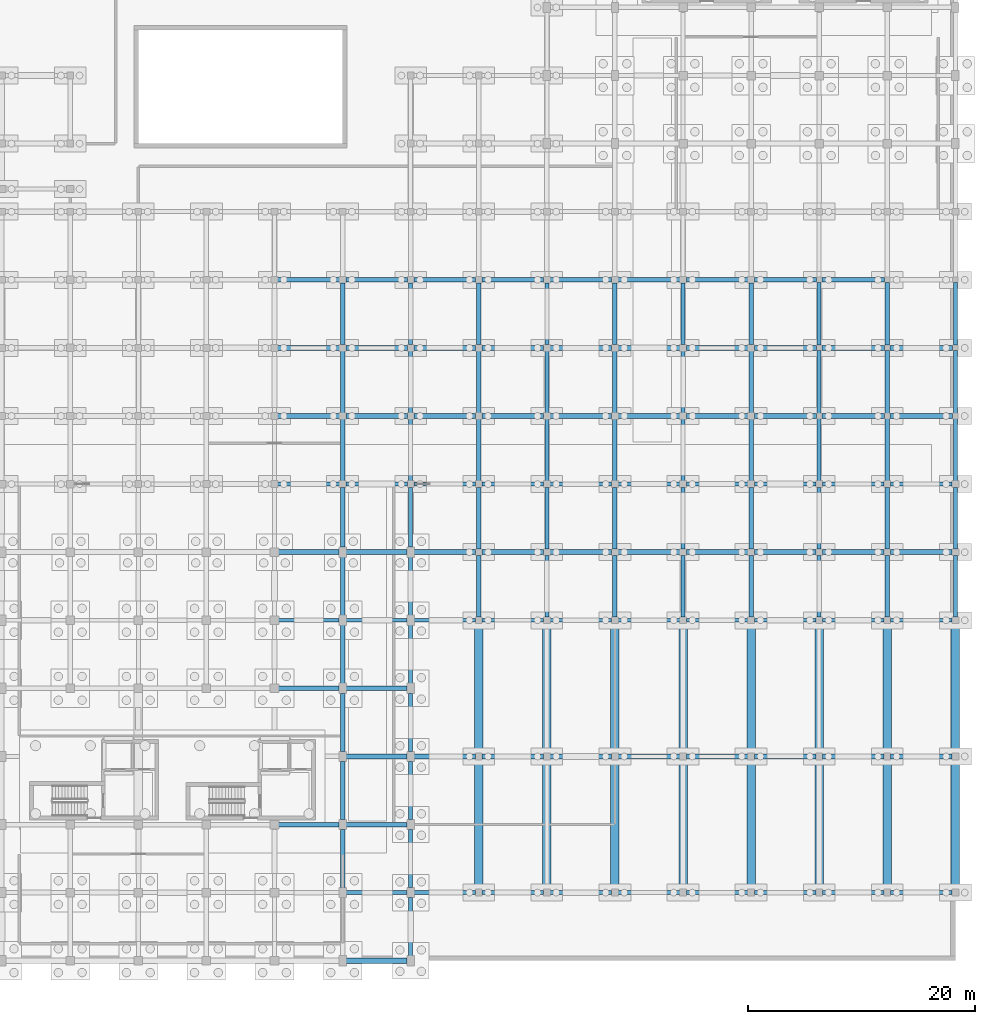
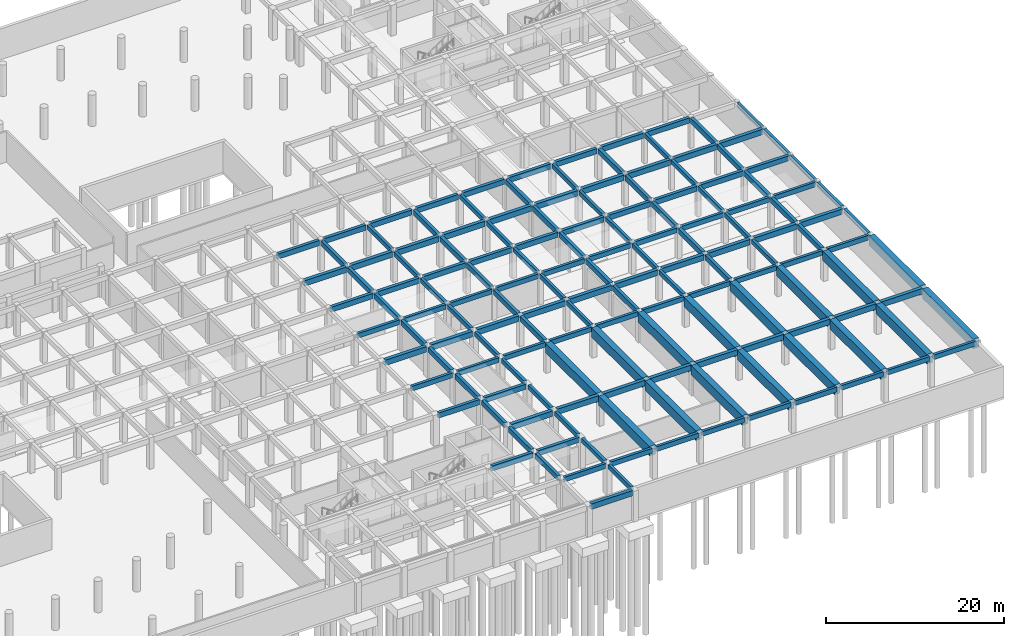
# One storey, part 20 of 41: 157 beams.
"""IFC4 building model written with IfcOpenShell, lengths in metres."""

from ifc_helpers import new_model, si_unit, direction, frame, origin, origin_2d, place, context, subcontext, project, spatial, rectangle, extrude, material, material_profile, profile_set, type_object, element, save


model = new_model("IFC4")

# Units and contexts
model_context = context("Model", 3, precision=1e-05, world=origin(), true_north=direction((0.0, 1.0)))
body_context = subcontext(model_context, "Body", "Model", "MODEL_VIEW")
ifc_project = project(units=[si_unit("LENGTHUNIT", "METRE"), si_unit("AREAUNIT", "SQUARE_METRE"), si_unit("VOLUMEUNIT", "CUBIC_METRE"), si_unit("PLANEANGLEUNIT", "RADIAN"), si_unit("MASSUNIT", "GRAM", prefix="KILO"), si_unit("POWERUNIT", "WATT"), si_unit("THERMODYNAMICTEMPERATUREUNIT", "KELVIN")], contexts=[model_context])

# Site, building, storey
site_placement = place(None, origin())
site = spatial("IfcSite", under=ifc_project, at=site_placement, CompositionType="ELEMENT")
building_placement = place(site_placement, origin())
building = spatial("IfcBuilding", under=site, at=building_placement, Name="Ruvembo Vaulted Housing Court", CompositionType="ELEMENT")
storey_placement = place(building_placement, frame((0.0, 0.0, -4.5)))
storey = spatial("IfcBuildingStorey", under=building, at=storey_placement, Name="B1", CompositionType="ELEMENT", Elevation=-4.5)

# Beams
ifc_material_1 = material(Name="Concrete C35/45", Category="concrete")
ifc_material_profile_1 = material_profile(ifc_material_1, rectangle(XDim=0.35009765625, YDim=0.60009765625, at=origin_2d()), Name="RC 350x600")
ifc_profile_set_1 = profile_set([ifc_material_profile_1], Name="Concrete C35/45")
beam_type_1 = type_object("IfcBeamType", Name="BM-RC-350x600", PredefinedType="BEAM", material=ifc_profile_set_1)
for number, where, z_axis, x_axis, name in (
    (1, (138.0, 0.43505859375, 3.9150390625), (0.0, 1.0, 0.0), (-1.0, 0.0, 0.0), "B1 Grid Beam Y #613"),
    (2, (138.0, 6.43505859375, 3.9150390625), (0.0, 1.0, 0.0), (-1.0, 0.0, 0.0), "B1 Grid Beam Y #614"),
    (3, (138.0, 12.43505859375, 3.9150390625), (0.0, 1.0, 0.0), (-1.0, 0.0, 0.0), "B1 Grid Beam Y #615"),
    (4, (138.0, 18.43505859375, 3.9150390625), (0.0, 1.0, 0.0), (-1.0, 0.0, 0.0), "B1 Grid Beam Y #616"),
    (5, (138.0, 24.43505859375, 3.9150390625), (0.0, 1.0, 0.0), (-1.0, 0.0, 0.0), "B1 Grid Beam Y #617"),
    (6, (138.0, 30.43505859375, 3.9150390625), (0.0, 1.0, 0.0), (-1.0, 0.0, 0.0), "B1 Grid Beam Y #618"),
):
    element("IfcBeam", number, at=place(storey_placement, frame(where, z_axis=z_axis, x_axis=x_axis)), inside=storey, type_object=beam_type_1, Name=name, PredefinedType="BEAM", context=body_context, shape_type="SweptSolid", body=[
        extrude(rectangle(XDim=0.35009765625, YDim=0.60009765625, at=origin_2d()), origin(), (0.0, 0.0, 1.0), 5.1298828125),
    ])
beam_1_placement = place(storey_placement, frame((138.0, 36.43505859375, 3.9150390625), z_axis=(0.0, 1.0, 0.0), x_axis=(-1.0, 0.0, 0.0)))
element("IfcBeam", 7, at=beam_1_placement, inside=storey, type_object=beam_type_1, Name="B1 Grid Beam Y #619", PredefinedType="BEAM", context=body_context, shape_type="SweptSolid", body=[
    extrude(rectangle(XDim=0.35009765625, YDim=0.60009765625, at=origin_2d()), origin(), (0.0, 0.0, 1.0), 5.280029296875),
])
for number, where, z_axis, x_axis, name in (
    (8, (138.0, 42.284912109375, 3.9150390625), (0.0, 1.0, 0.0), (-1.0, 0.0, 0.0), "B1 Grid Beam Y #620"),
    (9, (138.0, 48.284912109375, 3.9150390625), (0.0, 1.0, 0.0), (-1.0, 0.0, 0.0), "B1 Grid Beam Y #621"),
    (10, (138.0, 54.284912109375, 3.9150390625), (0.0, 1.0, 0.0), (-1.0, 0.0, 0.0), "B1 Grid Beam Y #622"),
    (11, (150.0, 30.284912109375, 3.9150390625), (0.0, 1.0, 0.0), (-1.0, 0.0, 0.0), "B1 Grid Beam Y #638"),
    (12, (150.0, 36.284912109375, 3.9150390625), (0.0, 1.0, 0.0), (-1.0, 0.0, 0.0), "B1 Grid Beam Y #639"),
    (13, (150.0, 42.284912109375, 3.9150390625), (0.0, 1.0, 0.0), (-1.0, 0.0, 0.0), "B1 Grid Beam Y #640"),
    (14, (150.0, 48.284912109375, 3.9150390625), (0.0, 1.0, 0.0), (-1.0, 0.0, 0.0), "B1 Grid Beam Y #641"),
    (15, (150.0, 54.284912109375, 3.9150390625), (0.0, 1.0, 0.0), (-1.0, 0.0, 0.0), "B1 Grid Beam Y #642"),
    (16, (162.0, 30.284912109375, 3.9150390625), (0.0, 1.0, 0.0), (-1.0, 0.0, 0.0), "B1 Grid Beam Y #668"),
    (17, (162.0, 36.284912109375, 3.9150390625), (0.0, 1.0, 0.0), (-1.0, 0.0, 0.0), "B1 Grid Beam Y #669"),
    (18, (162.0, 42.284912109375, 3.9150390625), (0.0, 1.0, 0.0), (-1.0, 0.0, 0.0), "B1 Grid Beam Y #670"),
    (19, (162.0, 48.284912109375, 3.9150390625), (0.0, 1.0, 0.0), (-1.0, 0.0, 0.0), "B1 Grid Beam Y #671"),
    (20, (162.0, 54.284912109375, 3.9150390625), (0.0, 1.0, 0.0), (-1.0, 0.0, 0.0), "B1 Grid Beam Y #672"),
    (21, (174.0, 30.284912109375, 3.9150390625), (0.0, 1.0, 0.0), (-1.0, 0.0, 0.0), "B1 Grid Beam Y #695"),
    (22, (174.0, 36.284912109375, 3.9150390625), (0.0, 1.0, 0.0), (-1.0, 0.0, 0.0), "B1 Grid Beam Y #696"),
):
    element("IfcBeam", number, at=place(storey_placement, frame(where, z_axis=z_axis, x_axis=x_axis)), inside=storey, type_object=beam_type_1, Name=name, PredefinedType="BEAM", context=body_context, shape_type="SweptSolid", body=[
        extrude(rectangle(XDim=0.35009765625, YDim=0.60009765625, at=origin_2d()), origin(), (0.0, 0.0, 1.0), 5.43017578125),
    ])
beam_2_placement = place(storey_placement, frame((174.0, 42.284912109375, 3.9150390625), z_axis=(0.0, 1.0, 0.0), x_axis=(-1.0, 0.0, 0.0)))
element("IfcBeam", 23, at=beam_2_placement, inside=storey, type_object=beam_type_1, Name="B1 Grid Beam Y #697", PredefinedType="BEAM", context=body_context, shape_type="SweptSolid", body=[
    extrude(rectangle(XDim=0.35009765625, YDim=0.60009765625, at=origin_2d()), origin(), (0.0, 0.0, 1.0), 5.47998046875),
])
for number, where, z_axis, x_axis, name in (
    (24, (174.0, 48.235107421875, 3.9150390625), (0.0, 1.0, 0.0), (-1.0, 0.0, 0.0), "B1 Grid Beam Y #698"),
    (25, (174.0, 54.235107421875, 3.9150390625), (0.0, 1.0, 0.0), (-1.0, 0.0, 0.0), "B1 Grid Beam Y #699"),
):
    element("IfcBeam", number, at=place(storey_placement, frame(where, z_axis=z_axis, x_axis=x_axis)), inside=storey, type_object=beam_type_1, Name=name, PredefinedType="BEAM", context=body_context, shape_type="SweptSolid", body=[
        extrude(rectangle(XDim=0.35009765625, YDim=0.60009765625, at=origin_2d()), origin(), (0.0, 0.0, 1.0), 5.52978515625),
    ])
for number, where, z_axis, x_axis, name in (
    (26, (186.0, 30.284912109375, 3.9150390625), (0.0, 1.0, 0.0), (-1.0, 0.0, 0.0), "B1 Grid Beam Y #721"),
    (27, (186.0, 36.284912109375, 3.9150390625), (0.0, 1.0, 0.0), (-1.0, 0.0, 0.0), "B1 Grid Beam Y #722"),
):
    element("IfcBeam", number, at=place(storey_placement, frame(where, z_axis=z_axis, x_axis=x_axis)), inside=storey, type_object=beam_type_1, Name=name, PredefinedType="BEAM", context=body_context, shape_type="SweptSolid", body=[
        extrude(rectangle(XDim=0.35009765625, YDim=0.60009765625, at=origin_2d()), origin(), (0.0, 0.0, 1.0), 5.43017578125),
    ])
beam_3_placement = place(storey_placement, frame((186.0, 42.284912109375, 3.9150390625), z_axis=(0.0, 1.0, 0.0), x_axis=(-1.0, 0.0, 0.0)))
element("IfcBeam", 28, at=beam_3_placement, inside=storey, type_object=beam_type_1, Name="B1 Grid Beam Y #723", PredefinedType="BEAM", context=body_context, shape_type="SweptSolid", body=[
    extrude(rectangle(XDim=0.35009765625, YDim=0.60009765625, at=origin_2d()), origin(), (0.0, 0.0, 1.0), 5.47998046875),
])
for number, where, z_axis, x_axis, name in (
    (29, (186.0, 48.235107421875, 3.9150390625), (0.0, 1.0, 0.0), (-1.0, 0.0, 0.0), "B1 Grid Beam Y #724"),
    (30, (186.0, 54.235107421875, 3.9150390625), (0.0, 1.0, 0.0), (-1.0, 0.0, 0.0), "B1 Grid Beam Y #725"),
):
    element("IfcBeam", number, at=place(storey_placement, frame(where, z_axis=z_axis, x_axis=x_axis)), inside=storey, type_object=beam_type_1, Name=name, PredefinedType="BEAM", context=body_context, shape_type="SweptSolid", body=[
        extrude(rectangle(XDim=0.35009765625, YDim=0.60009765625, at=origin_2d()), origin(), (0.0, 0.0, 1.0), 5.52978515625),
    ])
ifc_material_profile_2 = material_profile(ifc_material_1, rectangle(XDim=0.35009765625, YDim=0.64990234375, at=origin_2d()), Name="RC 350x650")
ifc_profile_set_2 = profile_set([ifc_material_profile_2], Name="Concrete C35/45")
beam_type_2 = type_object("IfcBeamType", Name="BM-RC-350x650", PredefinedType="BEAM", material=ifc_profile_set_2)
beam_4_placement = place(storey_placement, frame((132.31005859375, 6.0, 3.889892578125), z_axis=(1.0, 0.0, 0.0), x_axis=(0.0, 1.0, 0.0)))
element("IfcBeam", 31, at=beam_4_placement, inside=storey, type_object=beam_type_2, Name="B1 Grid Beam X #18", PredefinedType="BEAM", context=body_context, shape_type="SweptSolid", body=[
    extrude(rectangle(XDim=0.35009765625, YDim=0.64990234375, at=origin_2d()), origin(), (0.0, 0.0, 1.0), 5.3798828125),
])
beam_5_placement = place(storey_placement, frame((138.31005859375, 6.0, 3.889892578125), z_axis=(1.0, 0.0, 0.0), x_axis=(0.0, 1.0, 0.0)))
element("IfcBeam", 32, at=beam_5_placement, inside=storey, type_object=beam_type_2, Name="B1 Grid Beam X #19", PredefinedType="BEAM", context=body_context, shape_type="SweptSolid", body=[
    extrude(rectangle(XDim=0.35009765625, YDim=0.64990234375, at=origin_2d()), origin(), (0.0, 0.0, 1.0), 5.405029296875),
])
for number, where, z_axis, x_axis, name in (
    (33, (144.284912109375, 6.0, 3.889892578125), (1.0, 0.0, 0.0), (0.0, 1.0, 0.0), "B1 Grid Beam X #20"),
    (34, (150.284912109375, 6.0, 3.889892578125), (1.0, 0.0, 0.0), (0.0, 1.0, 0.0), "B1 Grid Beam X #21"),
    (35, (156.284912109375, 6.0, 3.889892578125), (1.0, 0.0, 0.0), (0.0, 1.0, 0.0), "B1 Grid Beam X #22"),
    (36, (162.284912109375, 6.0, 3.889892578125), (1.0, 0.0, 0.0), (0.0, 1.0, 0.0), "B1 Grid Beam X #23"),
    (37, (168.284912109375, 6.0, 3.889892578125), (1.0, 0.0, 0.0), (0.0, 1.0, 0.0), "B1 Grid Beam X #24"),
    (38, (174.284912109375, 6.0, 3.889892578125), (1.0, 0.0, 0.0), (0.0, 1.0, 0.0), "B1 Grid Beam X #25"),
    (39, (180.284912109375, 6.0, 3.889892578125), (1.0, 0.0, 0.0), (0.0, 1.0, 0.0), "B1 Grid Beam X #26"),
):
    element("IfcBeam", number, at=place(storey_placement, frame(where, z_axis=z_axis, x_axis=x_axis)), inside=storey, type_object=beam_type_2, Name=name, PredefinedType="BEAM", context=body_context, shape_type="SweptSolid", body=[
        extrude(rectangle(XDim=0.35009765625, YDim=0.64990234375, at=origin_2d()), origin(), (0.0, 0.0, 1.0), 5.43017578125),
    ])
beam_6_placement = place(storey_placement, frame((126.360107421875, 30.0, 3.889892578125), z_axis=(1.0, 0.0, 0.0), x_axis=(0.0, 1.0, 0.0)))
element("IfcBeam", 40, at=beam_6_placement, inside=storey, type_object=beam_type_2, Name="B1 Grid Beam X #71", PredefinedType="BEAM", context=body_context, shape_type="SweptSolid", body=[
    extrude(rectangle(XDim=0.35009765625, YDim=0.64990234375, at=origin_2d()), origin(), (0.0, 0.0, 1.0), 5.329833984375),
])
beam_7_placement = place(storey_placement, frame((132.31005859375, 30.0, 3.889892578125), z_axis=(1.0, 0.0, 0.0), x_axis=(0.0, 1.0, 0.0)))
element("IfcBeam", 41, at=beam_7_placement, inside=storey, type_object=beam_type_2, Name="B1 Grid Beam X #72", PredefinedType="BEAM", context=body_context, shape_type="SweptSolid", body=[
    extrude(rectangle(XDim=0.35009765625, YDim=0.64990234375, at=origin_2d()), origin(), (0.0, 0.0, 1.0), 5.3798828125),
])
beam_8_placement = place(storey_placement, frame((138.31005859375, 30.0, 3.889892578125), z_axis=(1.0, 0.0, 0.0), x_axis=(0.0, 1.0, 0.0)))
element("IfcBeam", 42, at=beam_8_placement, inside=storey, type_object=beam_type_2, Name="B1 Grid Beam X #73", PredefinedType="BEAM", context=body_context, shape_type="SweptSolid", body=[
    extrude(rectangle(XDim=0.35009765625, YDim=0.64990234375, at=origin_2d()), origin(), (0.0, 0.0, 1.0), 5.405029296875),
])
for number, where, z_axis, x_axis, name in (
    (43, (144.284912109375, 30.0, 3.889892578125), (1.0, 0.0, 0.0), (0.0, 1.0, 0.0), "B1 Grid Beam X #74"),
    (44, (150.284912109375, 30.0, 3.889892578125), (1.0, 0.0, 0.0), (0.0, 1.0, 0.0), "B1 Grid Beam X #75"),
    (45, (156.284912109375, 30.0, 3.889892578125), (1.0, 0.0, 0.0), (0.0, 1.0, 0.0), "B1 Grid Beam X #76"),
    (46, (162.284912109375, 30.0, 3.889892578125), (1.0, 0.0, 0.0), (0.0, 1.0, 0.0), "B1 Grid Beam X #77"),
    (47, (168.284912109375, 30.0, 3.889892578125), (1.0, 0.0, 0.0), (0.0, 1.0, 0.0), "B1 Grid Beam X #78"),
    (48, (174.284912109375, 30.0, 3.889892578125), (1.0, 0.0, 0.0), (0.0, 1.0, 0.0), "B1 Grid Beam X #79"),
    (49, (180.284912109375, 30.0, 3.889892578125), (1.0, 0.0, 0.0), (0.0, 1.0, 0.0), "B1 Grid Beam X #80"),
    (50, (126.284912109375, 42.0, 3.889892578125), (1.0, 0.0, 0.0), (0.0, 1.0, 0.0), "B1 Grid Beam X #128"),
    (51, (132.284912109375, 42.0, 3.889892578125), (1.0, 0.0, 0.0), (0.0, 1.0, 0.0), "B1 Grid Beam X #129"),
    (52, (138.284912109375, 42.0, 3.889892578125), (1.0, 0.0, 0.0), (0.0, 1.0, 0.0), "B1 Grid Beam X #130"),
    (53, (144.284912109375, 42.0, 3.889892578125), (1.0, 0.0, 0.0), (0.0, 1.0, 0.0), "B1 Grid Beam X #131"),
    (54, (150.284912109375, 42.0, 3.889892578125), (1.0, 0.0, 0.0), (0.0, 1.0, 0.0), "B1 Grid Beam X #132"),
    (55, (156.284912109375, 42.0, 3.889892578125), (1.0, 0.0, 0.0), (0.0, 1.0, 0.0), "B1 Grid Beam X #133"),
    (56, (162.284912109375, 42.0, 3.889892578125), (1.0, 0.0, 0.0), (0.0, 1.0, 0.0), "B1 Grid Beam X #134"),
    (57, (168.284912109375, 42.0, 3.889892578125), (1.0, 0.0, 0.0), (0.0, 1.0, 0.0), "B1 Grid Beam X #135"),
    (58, (174.284912109375, 42.0, 3.889892578125), (1.0, 0.0, 0.0), (0.0, 1.0, 0.0), "B1 Grid Beam X #136"),
    (59, (180.284912109375, 42.0, 3.889892578125), (1.0, 0.0, 0.0), (0.0, 1.0, 0.0), "B1 Grid Beam X #137"),
):
    element("IfcBeam", number, at=place(storey_placement, frame(where, z_axis=z_axis, x_axis=x_axis)), inside=storey, type_object=beam_type_2, Name=name, PredefinedType="BEAM", context=body_context, shape_type="SweptSolid", body=[
        extrude(rectangle(XDim=0.35009765625, YDim=0.64990234375, at=origin_2d()), origin(), (0.0, 0.0, 1.0), 5.43017578125),
    ])
ifc_material_profile_3 = material_profile(ifc_material_1, rectangle(XDim=0.39990234375, YDim=0.699951171875, at=origin_2d()), Name="RC 400x700")
ifc_profile_set_3 = profile_set([ifc_material_profile_3], Name="Concrete C35/45")
beam_type_3 = type_object("IfcBeamType", Name="BM-RC-400x700", PredefinedType="BEAM", material=ifc_profile_set_3)
beam_9_placement = place(storey_placement, frame((126.360107421875, 12.0, 3.864990234375), z_axis=(1.0, 0.0, 0.0), x_axis=(0.0, 1.0, 0.0)))
element("IfcBeam", 60, at=beam_9_placement, inside=storey, type_object=beam_type_3, Name="B1 Grid Beam X #37", PredefinedType="BEAM", context=body_context, shape_type="SweptSolid", body=[
    extrude(rectangle(XDim=0.39990234375, YDim=0.699951171875, at=origin_2d()), origin(), (0.0, 0.0, 1.0), 5.329833984375),
])
beam_10_placement = place(storey_placement, frame((132.31005859375, 12.0, 3.864990234375), z_axis=(1.0, 0.0, 0.0), x_axis=(0.0, 1.0, 0.0)))
element("IfcBeam", 61, at=beam_10_placement, inside=storey, type_object=beam_type_3, Name="B1 Grid Beam X #38", PredefinedType="BEAM", context=body_context, shape_type="SweptSolid", body=[
    extrude(rectangle(XDim=0.39990234375, YDim=0.699951171875, at=origin_2d()), origin(), (0.0, 0.0, 1.0), 5.3798828125),
])
beam_11_placement = place(storey_placement, frame((126.360107421875, 24.0, 3.864990234375), z_axis=(1.0, 0.0, 0.0), x_axis=(0.0, 1.0, 0.0)))
element("IfcBeam", 62, at=beam_11_placement, inside=storey, type_object=beam_type_3, Name="B1 Grid Beam X #59", PredefinedType="BEAM", context=body_context, shape_type="SweptSolid", body=[
    extrude(rectangle(XDim=0.39990234375, YDim=0.699951171875, at=origin_2d()), origin(), (0.0, 0.0, 1.0), 5.329833984375),
])
beam_12_placement = place(storey_placement, frame((132.31005859375, 24.0, 3.864990234375), z_axis=(1.0, 0.0, 0.0), x_axis=(0.0, 1.0, 0.0)))
element("IfcBeam", 63, at=beam_12_placement, inside=storey, type_object=beam_type_3, Name="B1 Grid Beam X #60", PredefinedType="BEAM", context=body_context, shape_type="SweptSolid", body=[
    extrude(rectangle(XDim=0.39990234375, YDim=0.699951171875, at=origin_2d()), origin(), (0.0, 0.0, 1.0), 5.3798828125),
])
for number, where, z_axis, x_axis, name in (
    (64, (126.284912109375, 48.0, 3.864990234375), (1.0, 0.0, 0.0), (0.0, 1.0, 0.0), "B1 Grid Beam X #159"),
    (65, (132.284912109375, 48.0, 3.864990234375), (1.0, 0.0, 0.0), (0.0, 1.0, 0.0), "B1 Grid Beam X #160"),
    (66, (138.284912109375, 48.0, 3.864990234375), (1.0, 0.0, 0.0), (0.0, 1.0, 0.0), "B1 Grid Beam X #161"),
    (67, (144.284912109375, 48.0, 3.864990234375), (1.0, 0.0, 0.0), (0.0, 1.0, 0.0), "B1 Grid Beam X #162"),
    (68, (150.284912109375, 48.0, 3.864990234375), (1.0, 0.0, 0.0), (0.0, 1.0, 0.0), "B1 Grid Beam X #163"),
    (69, (156.284912109375, 48.0, 3.864990234375), (1.0, 0.0, 0.0), (0.0, 1.0, 0.0), "B1 Grid Beam X #164"),
    (70, (162.284912109375, 48.0, 3.864990234375), (1.0, 0.0, 0.0), (0.0, 1.0, 0.0), "B1 Grid Beam X #165"),
):
    element("IfcBeam", number, at=place(storey_placement, frame(where, z_axis=z_axis, x_axis=x_axis)), inside=storey, type_object=beam_type_3, Name=name, PredefinedType="BEAM", context=body_context, shape_type="SweptSolid", body=[
        extrude(rectangle(XDim=0.39990234375, YDim=0.699951171875, at=origin_2d()), origin(), (0.0, 0.0, 1.0), 5.43017578125),
    ])
beam_13_placement = place(storey_placement, frame((168.284912109375, 48.0, 3.864990234375), z_axis=(1.0, 0.0, 0.0), x_axis=(0.0, 1.0, 0.0)))
element("IfcBeam", 71, at=beam_13_placement, inside=storey, type_object=beam_type_3, Name="B1 Grid Beam X #166", PredefinedType="BEAM", context=body_context, shape_type="SweptSolid", body=[
    extrude(rectangle(XDim=0.39990234375, YDim=0.699951171875, at=origin_2d()), origin(), (0.0, 0.0, 1.0), 5.47998046875),
])
for number, where, z_axis, x_axis, name in (
    (72, (174.235107421875, 48.0, 3.864990234375), (1.0, 0.0, 0.0), (0.0, 1.0, 0.0), "B1 Grid Beam X #167"),
    (73, (180.235107421875, 48.0, 3.864990234375), (1.0, 0.0, 0.0), (0.0, 1.0, 0.0), "B1 Grid Beam X #168"),
):
    element("IfcBeam", number, at=place(storey_placement, frame(where, z_axis=z_axis, x_axis=x_axis)), inside=storey, type_object=beam_type_3, Name=name, PredefinedType="BEAM", context=body_context, shape_type="SweptSolid", body=[
        extrude(rectangle(XDim=0.39990234375, YDim=0.699951171875, at=origin_2d()), origin(), (0.0, 0.0, 1.0), 5.52978515625),
    ])
for number, where, z_axis, x_axis, name in (
    (74, (126.284912109375, 60.0, 3.864990234375), (1.0, 0.0, 0.0), (0.0, 1.0, 0.0), "B1 Grid Beam X #211"),
    (75, (132.284912109375, 60.0, 3.864990234375), (1.0, 0.0, 0.0), (0.0, 1.0, 0.0), "B1 Grid Beam X #212"),
    (76, (138.284912109375, 60.0, 3.864990234375), (1.0, 0.0, 0.0), (0.0, 1.0, 0.0), "B1 Grid Beam X #213"),
    (77, (144.284912109375, 60.0, 3.864990234375), (1.0, 0.0, 0.0), (0.0, 1.0, 0.0), "B1 Grid Beam X #214"),
    (78, (150.284912109375, 60.0, 3.864990234375), (1.0, 0.0, 0.0), (0.0, 1.0, 0.0), "B1 Grid Beam X #215"),
    (79, (156.284912109375, 60.0, 3.864990234375), (1.0, 0.0, 0.0), (0.0, 1.0, 0.0), "B1 Grid Beam X #216"),
    (80, (162.284912109375, 60.0, 3.864990234375), (1.0, 0.0, 0.0), (0.0, 1.0, 0.0), "B1 Grid Beam X #217"),
):
    element("IfcBeam", number, at=place(storey_placement, frame(where, z_axis=z_axis, x_axis=x_axis)), inside=storey, type_object=beam_type_3, Name=name, PredefinedType="BEAM", context=body_context, shape_type="SweptSolid", body=[
        extrude(rectangle(XDim=0.39990234375, YDim=0.699951171875, at=origin_2d()), origin(), (0.0, 0.0, 1.0), 5.43017578125),
    ])
beam_14_placement = place(storey_placement, frame((168.284912109375, 60.0, 3.864990234375), z_axis=(1.0, 0.0, 0.0), x_axis=(0.0, 1.0, 0.0)))
element("IfcBeam", 81, at=beam_14_placement, inside=storey, type_object=beam_type_3, Name="B1 Grid Beam X #218", PredefinedType="BEAM", context=body_context, shape_type="SweptSolid", body=[
    extrude(rectangle(XDim=0.39990234375, YDim=0.699951171875, at=origin_2d()), origin(), (0.0, 0.0, 1.0), 5.47998046875),
])
beam_15_placement = place(storey_placement, frame((174.235107421875, 60.0, 3.864990234375), z_axis=(1.0, 0.0, 0.0), x_axis=(0.0, 1.0, 0.0)))
element("IfcBeam", 82, at=beam_15_placement, inside=storey, type_object=beam_type_3, Name="B1 Grid Beam X #219", PredefinedType="BEAM", context=body_context, shape_type="SweptSolid", body=[
    extrude(rectangle(XDim=0.39990234375, YDim=0.699951171875, at=origin_2d()), origin(), (0.0, 0.0, 1.0), 5.52978515625),
])
for number, where, z_axis, x_axis, name in (
    (83, (132.0, 6.43505859375, 3.864990234375), (0.0, 1.0, 0.0), (-1.0, 0.0, 0.0), "B1 Grid Beam Y #603"),
    (84, (132.0, 12.43505859375, 3.864990234375), (0.0, 1.0, 0.0), (-1.0, 0.0, 0.0), "B1 Grid Beam Y #604"),
    (85, (132.0, 18.43505859375, 3.864990234375), (0.0, 1.0, 0.0), (-1.0, 0.0, 0.0), "B1 Grid Beam Y #605"),
    (86, (132.0, 24.43505859375, 3.864990234375), (0.0, 1.0, 0.0), (-1.0, 0.0, 0.0), "B1 Grid Beam Y #606"),
    (87, (132.0, 30.43505859375, 3.864990234375), (0.0, 1.0, 0.0), (-1.0, 0.0, 0.0), "B1 Grid Beam Y #607"),
):
    element("IfcBeam", number, at=place(storey_placement, frame(where, z_axis=z_axis, x_axis=x_axis)), inside=storey, type_object=beam_type_3, Name=name, PredefinedType="BEAM", context=body_context, shape_type="SweptSolid", body=[
        extrude(rectangle(XDim=0.39990234375, YDim=0.699951171875, at=origin_2d()), origin(), (0.0, 0.0, 1.0), 5.1298828125),
    ])
beam_16_placement = place(storey_placement, frame((132.0, 36.43505859375, 3.864990234375), z_axis=(0.0, 1.0, 0.0), x_axis=(-1.0, 0.0, 0.0)))
element("IfcBeam", 88, at=beam_16_placement, inside=storey, type_object=beam_type_3, Name="B1 Grid Beam Y #608", PredefinedType="BEAM", context=body_context, shape_type="SweptSolid", body=[
    extrude(rectangle(XDim=0.39990234375, YDim=0.699951171875, at=origin_2d()), origin(), (0.0, 0.0, 1.0), 5.280029296875),
])
for number, where, z_axis, x_axis, name in (
    (89, (132.0, 42.284912109375, 3.864990234375), (0.0, 1.0, 0.0), (-1.0, 0.0, 0.0), "B1 Grid Beam Y #609"),
    (90, (132.0, 48.284912109375, 3.864990234375), (0.0, 1.0, 0.0), (-1.0, 0.0, 0.0), "B1 Grid Beam Y #610"),
    (91, (132.0, 54.284912109375, 3.864990234375), (0.0, 1.0, 0.0), (-1.0, 0.0, 0.0), "B1 Grid Beam Y #611"),
    (92, (144.0, 30.284912109375, 3.864990234375), (0.0, 1.0, 0.0), (-1.0, 0.0, 0.0), "B1 Grid Beam Y #628"),
    (93, (144.0, 36.284912109375, 3.864990234375), (0.0, 1.0, 0.0), (-1.0, 0.0, 0.0), "B1 Grid Beam Y #629"),
    (94, (144.0, 42.284912109375, 3.864990234375), (0.0, 1.0, 0.0), (-1.0, 0.0, 0.0), "B1 Grid Beam Y #630"),
    (95, (144.0, 48.284912109375, 3.864990234375), (0.0, 1.0, 0.0), (-1.0, 0.0, 0.0), "B1 Grid Beam Y #631"),
    (96, (144.0, 54.284912109375, 3.864990234375), (0.0, 1.0, 0.0), (-1.0, 0.0, 0.0), "B1 Grid Beam Y #632"),
    (97, (156.0, 30.284912109375, 3.864990234375), (0.0, 1.0, 0.0), (-1.0, 0.0, 0.0), "B1 Grid Beam Y #653"),
    (98, (156.0, 36.284912109375, 3.864990234375), (0.0, 1.0, 0.0), (-1.0, 0.0, 0.0), "B1 Grid Beam Y #654"),
    (99, (156.0, 42.284912109375, 3.864990234375), (0.0, 1.0, 0.0), (-1.0, 0.0, 0.0), "B1 Grid Beam Y #655"),
    (100, (156.0, 48.284912109375, 3.864990234375), (0.0, 1.0, 0.0), (-1.0, 0.0, 0.0), "B1 Grid Beam Y #656"),
    (101, (156.0, 54.284912109375, 3.864990234375), (0.0, 1.0, 0.0), (-1.0, 0.0, 0.0), "B1 Grid Beam Y #657"),
    (102, (168.0, 30.284912109375, 3.864990234375), (0.0, 1.0, 0.0), (-1.0, 0.0, 0.0), "B1 Grid Beam Y #681"),
    (103, (168.0, 36.284912109375, 3.864990234375), (0.0, 1.0, 0.0), (-1.0, 0.0, 0.0), "B1 Grid Beam Y #682"),
    (104, (168.0, 42.284912109375, 3.864990234375), (0.0, 1.0, 0.0), (-1.0, 0.0, 0.0), "B1 Grid Beam Y #683"),
    (105, (168.0, 48.284912109375, 3.864990234375), (0.0, 1.0, 0.0), (-1.0, 0.0, 0.0), "B1 Grid Beam Y #684"),
    (106, (168.0, 54.284912109375, 3.864990234375), (0.0, 1.0, 0.0), (-1.0, 0.0, 0.0), "B1 Grid Beam Y #685"),
    (107, (180.0, 30.284912109375, 3.864990234375), (0.0, 1.0, 0.0), (-1.0, 0.0, 0.0), "B1 Grid Beam Y #708"),
    (108, (180.0, 36.284912109375, 3.864990234375), (0.0, 1.0, 0.0), (-1.0, 0.0, 0.0), "B1 Grid Beam Y #709"),
):
    element("IfcBeam", number, at=place(storey_placement, frame(where, z_axis=z_axis, x_axis=x_axis)), inside=storey, type_object=beam_type_3, Name=name, PredefinedType="BEAM", context=body_context, shape_type="SweptSolid", body=[
        extrude(rectangle(XDim=0.39990234375, YDim=0.699951171875, at=origin_2d()), origin(), (0.0, 0.0, 1.0), 5.43017578125),
    ])
beam_17_placement = place(storey_placement, frame((180.0, 42.284912109375, 3.864990234375), z_axis=(0.0, 1.0, 0.0), x_axis=(-1.0, 0.0, 0.0)))
element("IfcBeam", 109, at=beam_17_placement, inside=storey, type_object=beam_type_3, Name="B1 Grid Beam Y #710", PredefinedType="BEAM", context=body_context, shape_type="SweptSolid", body=[
    extrude(rectangle(XDim=0.39990234375, YDim=0.699951171875, at=origin_2d()), origin(), (0.0, 0.0, 1.0), 5.47998046875),
])
for number, where, z_axis, x_axis, name in (
    (110, (180.0, 48.235107421875, 3.864990234375), (0.0, 1.0, 0.0), (-1.0, 0.0, 0.0), "B1 Grid Beam Y #711"),
    (111, (180.0, 54.235107421875, 3.864990234375), (0.0, 1.0, 0.0), (-1.0, 0.0, 0.0), "B1 Grid Beam Y #712"),
):
    element("IfcBeam", number, at=place(storey_placement, frame(where, z_axis=z_axis, x_axis=x_axis)), inside=storey, type_object=beam_type_3, Name=name, PredefinedType="BEAM", context=body_context, shape_type="SweptSolid", body=[
        extrude(rectangle(XDim=0.39990234375, YDim=0.699951171875, at=origin_2d()), origin(), (0.0, 0.0, 1.0), 5.52978515625),
    ])
ifc_material_profile_4 = material_profile(ifc_material_1, rectangle(XDim=0.449951171875, YDim=0.75, at=origin_2d()), Name="RC 450x750")
ifc_profile_set_4 = profile_set([ifc_material_profile_4], Name="Concrete C35/45")
beam_type_4 = type_object("IfcBeamType", Name="BM-RC-450x750", PredefinedType="BEAM", material=ifc_profile_set_4)
for number, where, z_axis, x_axis, name in (
    (112, (132.31005859375, 0.0, 3.840087890625), (1.0, 0.0, 0.0), (0.0, 1.0, 0.0), "B1 Grid Beam X #6"),
    (113, (132.31005859375, 18.0, 3.840087890625), (1.0, 0.0, 0.0), (0.0, 1.0, 0.0), "B1 Grid Beam X #45"),
):
    element("IfcBeam", number, at=place(storey_placement, frame(where, z_axis=z_axis, x_axis=x_axis)), inside=storey, type_object=beam_type_4, Name=name, PredefinedType="BEAM", context=body_context, shape_type="SweptSolid", body=[
        extrude(rectangle(XDim=0.449951171875, YDim=0.75, at=origin_2d()), origin(), (0.0, 0.0, 1.0), 5.3798828125),
    ])
beam_18_placement = place(storey_placement, frame((138.31005859375, 18.0, 3.840087890625), z_axis=(1.0, 0.0, 0.0), x_axis=(0.0, 1.0, 0.0)))
element("IfcBeam", 114, at=beam_18_placement, inside=storey, type_object=beam_type_4, Name="B1 Grid Beam X #46", PredefinedType="BEAM", context=body_context, shape_type="SweptSolid", body=[
    extrude(rectangle(XDim=0.449951171875, YDim=0.75, at=origin_2d()), origin(), (0.0, 0.0, 1.0), 5.405029296875),
])
for number, where, z_axis, x_axis, name in (
    (115, (144.284912109375, 18.0, 3.840087890625), (1.0, 0.0, 0.0), (0.0, 1.0, 0.0), "B1 Grid Beam X #47"),
    (116, (150.284912109375, 18.0, 3.840087890625), (1.0, 0.0, 0.0), (0.0, 1.0, 0.0), "B1 Grid Beam X #48"),
    (117, (156.284912109375, 18.0, 3.840087890625), (1.0, 0.0, 0.0), (0.0, 1.0, 0.0), "B1 Grid Beam X #49"),
    (118, (162.284912109375, 18.0, 3.840087890625), (1.0, 0.0, 0.0), (0.0, 1.0, 0.0), "B1 Grid Beam X #50"),
    (119, (168.284912109375, 18.0, 3.840087890625), (1.0, 0.0, 0.0), (0.0, 1.0, 0.0), "B1 Grid Beam X #51"),
    (120, (174.284912109375, 18.0, 3.840087890625), (1.0, 0.0, 0.0), (0.0, 1.0, 0.0), "B1 Grid Beam X #52"),
    (121, (180.284912109375, 18.0, 3.840087890625), (1.0, 0.0, 0.0), (0.0, 1.0, 0.0), "B1 Grid Beam X #53"),
):
    element("IfcBeam", number, at=place(storey_placement, frame(where, z_axis=z_axis, x_axis=x_axis)), inside=storey, type_object=beam_type_4, Name=name, PredefinedType="BEAM", context=body_context, shape_type="SweptSolid", body=[
        extrude(rectangle(XDim=0.449951171875, YDim=0.75, at=origin_2d()), origin(), (0.0, 0.0, 1.0), 5.43017578125),
    ])
beam_19_placement = place(storey_placement, frame((126.360107421875, 36.0, 3.840087890625), z_axis=(1.0, 0.0, 0.0), x_axis=(0.0, 1.0, 0.0)))
element("IfcBeam", 122, at=beam_19_placement, inside=storey, type_object=beam_type_4, Name="B1 Grid Beam X #97", PredefinedType="BEAM", context=body_context, shape_type="SweptSolid", body=[
    extrude(rectangle(XDim=0.449951171875, YDim=0.75, at=origin_2d()), origin(), (0.0, 0.0, 1.0), 5.329833984375),
])
beam_20_placement = place(storey_placement, frame((132.31005859375, 36.0, 3.840087890625), z_axis=(1.0, 0.0, 0.0), x_axis=(0.0, 1.0, 0.0)))
element("IfcBeam", 123, at=beam_20_placement, inside=storey, type_object=beam_type_4, Name="B1 Grid Beam X #98", PredefinedType="BEAM", context=body_context, shape_type="SweptSolid", body=[
    extrude(rectangle(XDim=0.449951171875, YDim=0.75, at=origin_2d()), origin(), (0.0, 0.0, 1.0), 5.3798828125),
])
beam_21_placement = place(storey_placement, frame((138.31005859375, 36.0, 3.840087890625), z_axis=(1.0, 0.0, 0.0), x_axis=(0.0, 1.0, 0.0)))
element("IfcBeam", 124, at=beam_21_placement, inside=storey, type_object=beam_type_4, Name="B1 Grid Beam X #99", PredefinedType="BEAM", context=body_context, shape_type="SweptSolid", body=[
    extrude(rectangle(XDim=0.449951171875, YDim=0.75, at=origin_2d()), origin(), (0.0, 0.0, 1.0), 5.405029296875),
])
for number, where, z_axis, x_axis, name in (
    (125, (144.284912109375, 36.0, 3.840087890625), (1.0, 0.0, 0.0), (0.0, 1.0, 0.0), "B1 Grid Beam X #100"),
    (126, (150.284912109375, 36.0, 3.840087890625), (1.0, 0.0, 0.0), (0.0, 1.0, 0.0), "B1 Grid Beam X #101"),
    (127, (156.284912109375, 36.0, 3.840087890625), (1.0, 0.0, 0.0), (0.0, 1.0, 0.0), "B1 Grid Beam X #102"),
    (128, (162.284912109375, 36.0, 3.840087890625), (1.0, 0.0, 0.0), (0.0, 1.0, 0.0), "B1 Grid Beam X #103"),
    (129, (168.284912109375, 36.0, 3.840087890625), (1.0, 0.0, 0.0), (0.0, 1.0, 0.0), "B1 Grid Beam X #104"),
    (130, (174.284912109375, 36.0, 3.840087890625), (1.0, 0.0, 0.0), (0.0, 1.0, 0.0), "B1 Grid Beam X #105"),
    (131, (180.284912109375, 36.0, 3.840087890625), (1.0, 0.0, 0.0), (0.0, 1.0, 0.0), "B1 Grid Beam X #106"),
    (132, (126.284912109375, 54.0, 3.840087890625), (1.0, 0.0, 0.0), (0.0, 1.0, 0.0), "B1 Grid Beam X #185"),
    (133, (132.284912109375, 54.0, 3.840087890625), (1.0, 0.0, 0.0), (0.0, 1.0, 0.0), "B1 Grid Beam X #186"),
    (134, (138.284912109375, 54.0, 3.840087890625), (1.0, 0.0, 0.0), (0.0, 1.0, 0.0), "B1 Grid Beam X #187"),
    (135, (144.284912109375, 54.0, 3.840087890625), (1.0, 0.0, 0.0), (0.0, 1.0, 0.0), "B1 Grid Beam X #188"),
    (136, (150.284912109375, 54.0, 3.840087890625), (1.0, 0.0, 0.0), (0.0, 1.0, 0.0), "B1 Grid Beam X #189"),
    (137, (156.284912109375, 54.0, 3.840087890625), (1.0, 0.0, 0.0), (0.0, 1.0, 0.0), "B1 Grid Beam X #190"),
    (138, (162.284912109375, 54.0, 3.840087890625), (1.0, 0.0, 0.0), (0.0, 1.0, 0.0), "B1 Grid Beam X #191"),
):
    element("IfcBeam", number, at=place(storey_placement, frame(where, z_axis=z_axis, x_axis=x_axis)), inside=storey, type_object=beam_type_4, Name=name, PredefinedType="BEAM", context=body_context, shape_type="SweptSolid", body=[
        extrude(rectangle(XDim=0.449951171875, YDim=0.75, at=origin_2d()), origin(), (0.0, 0.0, 1.0), 5.43017578125),
    ])
beam_22_placement = place(storey_placement, frame((168.284912109375, 54.0, 3.840087890625), z_axis=(1.0, 0.0, 0.0), x_axis=(0.0, 1.0, 0.0)))
element("IfcBeam", 139, at=beam_22_placement, inside=storey, type_object=beam_type_4, Name="B1 Grid Beam X #192", PredefinedType="BEAM", context=body_context, shape_type="SweptSolid", body=[
    extrude(rectangle(XDim=0.449951171875, YDim=0.75, at=origin_2d()), origin(), (0.0, 0.0, 1.0), 5.47998046875),
])
for number, where, z_axis, x_axis, name in (
    (140, (174.235107421875, 54.0, 3.840087890625), (1.0, 0.0, 0.0), (0.0, 1.0, 0.0), "B1 Grid Beam X #193"),
    (141, (180.235107421875, 54.0, 3.840087890625), (1.0, 0.0, 0.0), (0.0, 1.0, 0.0), "B1 Grid Beam X #194"),
):
    element("IfcBeam", number, at=place(storey_placement, frame(where, z_axis=z_axis, x_axis=x_axis)), inside=storey, type_object=beam_type_4, Name=name, PredefinedType="BEAM", context=body_context, shape_type="SweptSolid", body=[
        extrude(rectangle(XDim=0.449951171875, YDim=0.75, at=origin_2d()), origin(), (0.0, 0.0, 1.0), 5.52978515625),
    ])
ifc_material_2 = material(Name="Concrete C40/50", Category="concrete")
ifc_material_profile_5 = material_profile(ifc_material_2, rectangle(XDim=0.75, YDim=1.300048828125, at=origin_2d()), Name="RC 750x1300")
ifc_profile_set_5 = profile_set([ifc_material_profile_5], Name="Concrete C40/50")
beam_type_5 = type_object("IfcBeamType", Name="TB-RC-750x1300", PredefinedType="BEAM", material=ifc_profile_set_5)
for number, where, z_axis, x_axis, name in (
    (142, (144.0, 6.284912109375, 3.56494140625), (0.0, 1.0, 0.0), (-1.0, 0.0, 0.0), "B1 Grid Beam Y #626"),
    (143, (144.0, 18.284912109375, 3.56494140625), (0.0, 1.0, 0.0), (-1.0, 0.0, 0.0), "B1 Grid Beam Y #627"),
    (144, (150.0, 6.284912109375, 3.56494140625), (0.0, 1.0, 0.0), (-1.0, 0.0, 0.0), "B1 Grid Beam Y #636"),
    (145, (150.0, 18.284912109375, 3.56494140625), (0.0, 1.0, 0.0), (-1.0, 0.0, 0.0), "B1 Grid Beam Y #637"),
    (146, (156.0, 6.284912109375, 3.56494140625), (0.0, 1.0, 0.0), (-1.0, 0.0, 0.0), "B1 Grid Beam Y #651"),
    (147, (156.0, 18.284912109375, 3.56494140625), (0.0, 1.0, 0.0), (-1.0, 0.0, 0.0), "B1 Grid Beam Y #652"),
    (148, (162.0, 6.284912109375, 3.56494140625), (0.0, 1.0, 0.0), (-1.0, 0.0, 0.0), "B1 Grid Beam Y #666"),
    (149, (162.0, 18.284912109375, 3.56494140625), (0.0, 1.0, 0.0), (-1.0, 0.0, 0.0), "B1 Grid Beam Y #667"),
    (150, (168.0, 6.284912109375, 3.56494140625), (0.0, 1.0, 0.0), (-1.0, 0.0, 0.0), "B1 Grid Beam Y #679"),
    (151, (168.0, 18.284912109375, 3.56494140625), (0.0, 1.0, 0.0), (-1.0, 0.0, 0.0), "B1 Grid Beam Y #680"),
    (152, (174.0, 6.284912109375, 3.56494140625), (0.0, 1.0, 0.0), (-1.0, 0.0, 0.0), "B1 Grid Beam Y #693"),
    (153, (174.0, 18.284912109375, 3.56494140625), (0.0, 1.0, 0.0), (-1.0, 0.0, 0.0), "B1 Grid Beam Y #694"),
    (154, (180.0, 6.284912109375, 3.56494140625), (0.0, 1.0, 0.0), (-1.0, 0.0, 0.0), "B1 Grid Beam Y #706"),
    (155, (180.0, 18.284912109375, 3.56494140625), (0.0, 1.0, 0.0), (-1.0, 0.0, 0.0), "B1 Grid Beam Y #707"),
    (156, (186.0, 6.284912109375, 3.56494140625), (0.0, 1.0, 0.0), (-1.0, 0.0, 0.0), "B1 Grid Beam Y #719"),
    (157, (186.0, 18.284912109375, 3.56494140625), (0.0, 1.0, 0.0), (-1.0, 0.0, 0.0), "B1 Grid Beam Y #720"),
):
    element("IfcBeam", number, at=place(storey_placement, frame(where, z_axis=z_axis, x_axis=x_axis)), inside=storey, type_object=beam_type_5, Name=name, PredefinedType="BEAM", context=body_context, shape_type="SweptSolid", body=[
        extrude(rectangle(XDim=0.75, YDim=1.300048828125, at=origin_2d()), origin(), (0.0, 0.0, 1.0), 11.43017578125),
    ])

save(model, "model.ifc")
